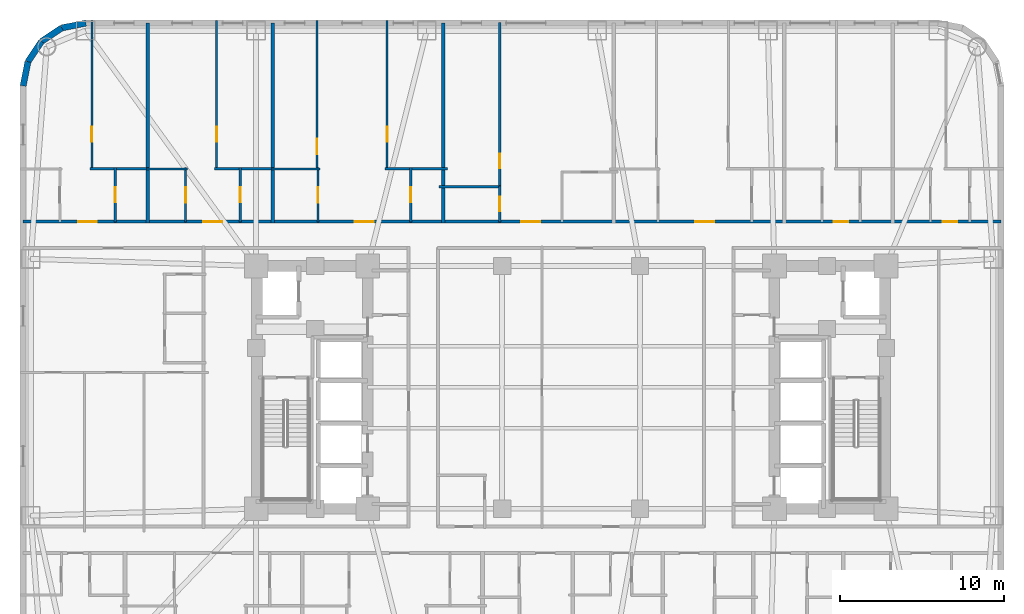
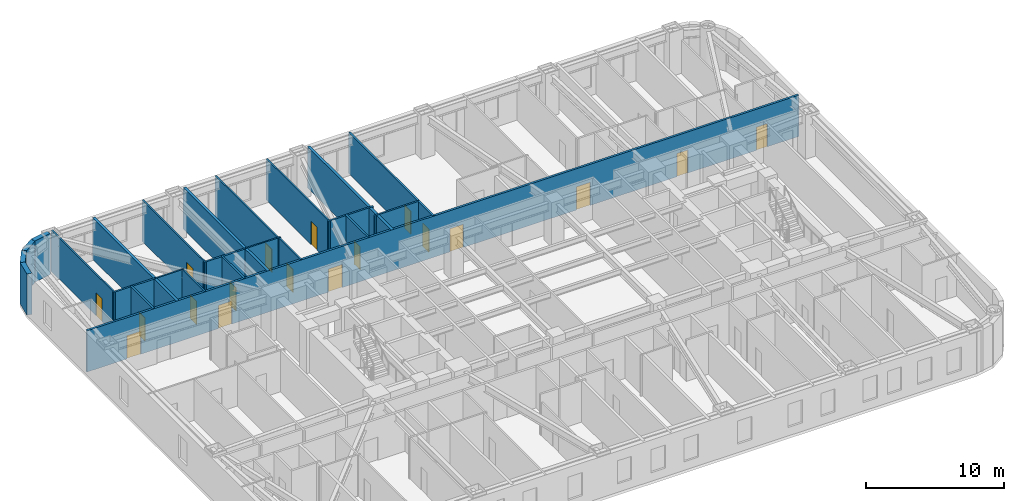
# One storey, part 7 of 11: 25 walls, 18 doors, 18 openings.
"""IFC4 building model written with IfcOpenShell, lengths in metres."""

from ifc_helpers import new_model, si_unit, direction, frame, frame_2d, origin, place, context, subcontext, project, spatial, rectangle, extrude, material, layer, layer_set, type_object, element, fill, save


model = new_model("IFC4")

# Units and contexts
model_context = context("Model", 3, precision=1e-05, world=origin(), true_north=direction((0.0, 1.0)))
body_context = subcontext(model_context, "Body", "Model", "MODEL_VIEW")
ifc_project = project(units=[si_unit("LENGTHUNIT", "METRE"), si_unit("AREAUNIT", "SQUARE_METRE"), si_unit("VOLUMEUNIT", "CUBIC_METRE"), si_unit("PLANEANGLEUNIT", "RADIAN"), si_unit("MASSUNIT", "GRAM", prefix="KILO")], contexts=[model_context])

# Site, building, storey
site_placement = place(None, origin())
site = spatial("IfcSite", under=ifc_project, at=site_placement, CompositionType="ELEMENT")
building_placement = place(site_placement, origin())
building = spatial("IfcBuilding", under=site, at=building_placement, Name="Voryun Gate Residences", CompositionType="ELEMENT")
storey_placement = place(building_placement, frame((0.0, 0.0, 37.699951171875)))
storey = spatial("IfcBuildingStorey", under=building, at=storey_placement, Name="L08", CompositionType="ELEMENT", Elevation=37.699951171875)

# Wall, openings, doors
ifc_material_1 = material(Name="Gypsum acoustic fireboard")
ifc_layer_1 = layer(ifc_material_1, 0.179931640625, Name="W_CORR_RATED_180")
ifc_layer_set_1 = layer_set([ifc_layer_1], Name="Gypsum acoustic fireboard")
wall_type_1 = type_object("IfcWallType", Name="W_CORR_RATED_180", PredefinedType="PARTITIONING", material=ifc_layer_set_1)
wall_1_placement = place(storey_placement, frame((-33.409912109375, 10.10009765625, 0.0), z_axis=(0.0, 0.0, 1.0), x_axis=(1.0, 0.0, 0.0)))
wall_1 = element("IfcWall", 1, at=wall_1_placement, inside=storey, type_object=wall_type_1, Name="Partition wall WP-L08-NCORR", PredefinedType="PARTITIONING", context=body_context, shape_type="SweptSolid", body=[
    extrude(rectangle(XDim=59.619873046875, YDim=0.179931640625, at=frame_2d((29.81005859375, 0.0))), origin(), (0.0, 0.0, 1.0), 3.650146484375),
])
opening_1_placement = place(wall_1_placement, frame((3.35400390625, 0.0, 0.0)))
opening_1 = element("IfcOpeningElement", 2, at=opening_1_placement, cuts=wall_1, Name="Opening D-UNIT-1", PredefinedType="OPENING", context=body_context, shape_type="SweptSolid", body=[
    extrude(rectangle(XDim=1.14990234375, YDim=2.050048828125, at=frame_2d((0.574951171875, 1.02490234375))), frame((0.0, 0.099853515625, 0.0), z_axis=(0.0, -1.0, 0.0), x_axis=(1.0, 0.0, 0.0)), (0.0, 0.0, 1.0), 0.199951171875),
])
opening_2_placement = place(wall_1_placement, frame((10.997314453125, 0.0, 0.0)))
opening_2 = element("IfcOpeningElement", 3, at=opening_2_placement, cuts=wall_1, Name="Opening D-UNIT-1", PredefinedType="OPENING", context=body_context, shape_type="SweptSolid", body=[
    extrude(rectangle(XDim=1.14990234375, YDim=2.050048828125, at=frame_2d((0.574951171875, 1.02490234375))), frame((0.0, 0.099853515625, 0.0), z_axis=(0.0, -1.0, 0.0), x_axis=(1.0, 0.0, 0.0)), (0.0, 0.0, 1.0), 0.199951171875),
])
opening_3_placement = place(wall_1_placement, frame((20.232421875, 0.0, 0.0)))
opening_3 = element("IfcOpeningElement", 4, at=opening_3_placement, cuts=wall_1, Name="Opening D-UNIT-1", PredefinedType="OPENING", context=body_context, shape_type="SweptSolid", body=[
    extrude(rectangle(XDim=1.14990234375, YDim=2.050048828125, at=frame_2d((0.574951171875, 1.02490234375))), frame((0.0, 0.099853515625, 0.0), z_axis=(0.0, -1.0, 0.0), x_axis=(1.0, 0.0, 0.0)), (0.0, 0.0, 1.0), 0.199951171875),
])
opening_4_placement = place(wall_1_placement, frame((30.379638671875, 0.0, 0.0)))
opening_4 = element("IfcOpeningElement", 5, at=opening_4_placement, cuts=wall_1, Name="Opening D-UNIT-1", PredefinedType="OPENING", context=body_context, shape_type="SweptSolid", body=[
    extrude(rectangle(XDim=1.14990234375, YDim=2.050048828125, at=frame_2d((0.574951171875, 1.02490234375))), frame((0.0, 0.099853515625, 0.0), z_axis=(0.0, -1.0, 0.0), x_axis=(1.0, 0.0, 0.0)), (0.0, 0.0, 1.0), 0.199951171875),
])
opening_5_placement = place(wall_1_placement, frame((40.998046875, 0.0, 0.0)))
opening_5 = element("IfcOpeningElement", 6, at=opening_5_placement, cuts=wall_1, Name="Opening D-UNIT-1", PredefinedType="OPENING", context=body_context, shape_type="SweptSolid", body=[
    extrude(rectangle(XDim=1.14990234375, YDim=2.050048828125, at=frame_2d((0.574951171875, 1.02490234375))), frame((0.0, 0.099853515625, 0.0), z_axis=(0.0, -1.0, 0.0), x_axis=(1.0, 0.0, 0.0)), (0.0, 0.0, 1.0), 0.199951171875),
])
opening_6_placement = place(wall_1_placement, frame((49.427978515625, 0.0, 0.0)))
opening_6 = element("IfcOpeningElement", 7, at=opening_6_placement, cuts=wall_1, Name="Opening D-INT-2", PredefinedType="OPENING", context=body_context, shape_type="SweptSolid", body=[
    extrude(rectangle(XDim=0.89990234375, YDim=2.050048828125, at=frame_2d((0.449951171875, 1.02490234375))), frame((0.0, 0.099853515625, 0.0), z_axis=(0.0, -1.0, 0.0), x_axis=(1.0, 0.0, 0.0)), (0.0, 0.0, 1.0), 0.199951171875),
])
opening_7_placement = place(wall_1_placement, frame((56.06982421875, 0.0, 0.0)))
opening_7 = element("IfcOpeningElement", 8, at=opening_7_placement, cuts=wall_1, Name="Opening D-INT-2", PredefinedType="OPENING", context=body_context, shape_type="SweptSolid", body=[
    extrude(rectangle(XDim=0.89990234375, YDim=2.050048828125, at=frame_2d((0.449951171875, 1.02490234375))), frame((0.0, 0.099853515625, 0.0), z_axis=(0.0, -1.0, 0.0), x_axis=(1.0, 0.0, 0.0)), (0.0, 0.0, 1.0), 0.199951171875),
])
ifc_material_2 = material(Name="Architectural oak veneer")
door_type_1 = type_object("IfcDoorType", Name="DR_INT_BATH_900", OperationType="NOTDEFINED", PredefinedType="DOOR", material=ifc_material_2)
door_1_placement = place(opening_6_placement, origin())
door_1 = element("IfcDoor", 9, at=door_1_placement, inside=storey, type_object=door_type_1, Name="Door DR-L08-NENT-6", OperationType="SINGLE_SWING_RIGHT", OverallHeight=2.050048828125, OverallWidth=0.89990234375, PredefinedType="DOOR", context=body_context, shape_type="SweptSolid", body=[
    extrude(rectangle(XDim=0.89990234375, YDim=2.050048828125, at=frame_2d((0.449951171875, 1.02490234375))), frame((0.0, 0.02490234375, 0.0), z_axis=(0.0, -1.0, 0.0), x_axis=(1.0, 0.0, 0.0)), (0.0, 0.0, 1.0), 0.050048828125),
])
fill(opening_6, door_1)
door_2_placement = place(opening_7_placement, origin())
door_2 = element("IfcDoor", 10, at=door_2_placement, inside=storey, type_object=door_type_1, Name="Door DR-L08-NENT-7", OperationType="SINGLE_SWING_LEFT", OverallHeight=2.050048828125, OverallWidth=0.89990234375, PredefinedType="DOOR", context=body_context, shape_type="SweptSolid", body=[
    extrude(rectangle(XDim=0.89990234375, YDim=2.050048828125, at=frame_2d((0.449951171875, 1.02490234375))), frame((0.0, 0.02490234375, 0.0), z_axis=(0.0, -1.0, 0.0), x_axis=(1.0, 0.0, 0.0)), (0.0, 0.0, 1.0), 0.050048828125),
])
fill(opening_7, door_2)
ifc_material_3 = material(Name="Armoured timber-clad fire door", Category="wood")
door_type_2 = type_object("IfcDoorType", Name="DR_UNIT_ENTRY_1150", OperationType="NOTDEFINED", PredefinedType="DOOR", material=ifc_material_3)
door_3_placement = place(opening_1_placement, origin())
door_3 = element("IfcDoor", 11, at=door_3_placement, inside=storey, type_object=door_type_2, Name="Door DR-L08-NENT-1", OperationType="SINGLE_SWING_LEFT", OverallHeight=2.050048828125, OverallWidth=1.14990234375, PredefinedType="DOOR", context=body_context, shape_type="SweptSolid", body=[
    extrude(rectangle(XDim=1.14990234375, YDim=2.050048828125, at=frame_2d((0.574951171875, 1.02490234375))), frame((0.0, 0.02490234375, 0.0), z_axis=(0.0, -1.0, 0.0), x_axis=(1.0, 0.0, 0.0)), (0.0, 0.0, 1.0), 0.050048828125),
])
fill(opening_1, door_3)
door_4_placement = place(opening_2_placement, origin())
door_4 = element("IfcDoor", 12, at=door_4_placement, inside=storey, type_object=door_type_2, Name="Door DR-L08-NENT-2", OperationType="SINGLE_SWING_RIGHT", OverallHeight=2.050048828125, OverallWidth=1.14990234375, PredefinedType="DOOR", context=body_context, shape_type="SweptSolid", body=[
    extrude(rectangle(XDim=1.14990234375, YDim=2.050048828125, at=frame_2d((0.574951171875, 1.02490234375))), frame((0.0, 0.02490234375, 0.0), z_axis=(0.0, -1.0, 0.0), x_axis=(1.0, 0.0, 0.0)), (0.0, 0.0, 1.0), 0.050048828125),
])
fill(opening_2, door_4)
door_5_placement = place(opening_3_placement, origin())
door_5 = element("IfcDoor", 13, at=door_5_placement, inside=storey, type_object=door_type_2, Name="Door DR-L08-NENT-3", OperationType="SINGLE_SWING_LEFT", OverallHeight=2.050048828125, OverallWidth=1.14990234375, PredefinedType="DOOR", context=body_context, shape_type="SweptSolid", body=[
    extrude(rectangle(XDim=1.14990234375, YDim=2.050048828125, at=frame_2d((0.574951171875, 1.02490234375))), frame((0.0, 0.02490234375, 0.0), z_axis=(0.0, -1.0, 0.0), x_axis=(1.0, 0.0, 0.0)), (0.0, 0.0, 1.0), 0.050048828125),
])
fill(opening_3, door_5)
door_6_placement = place(opening_4_placement, origin())
door_6 = element("IfcDoor", 14, at=door_6_placement, inside=storey, type_object=door_type_2, Name="Door DR-L08-NENT-4", OperationType="SINGLE_SWING_RIGHT", OverallHeight=2.050048828125, OverallWidth=1.14990234375, PredefinedType="DOOR", context=body_context, shape_type="SweptSolid", body=[
    extrude(rectangle(XDim=1.14990234375, YDim=2.050048828125, at=frame_2d((0.574951171875, 1.02490234375))), frame((0.0, 0.02490234375, 0.0), z_axis=(0.0, -1.0, 0.0), x_axis=(1.0, 0.0, 0.0)), (0.0, 0.0, 1.0), 0.050048828125),
])
fill(opening_4, door_6)
door_7_placement = place(opening_5_placement, origin())
door_7 = element("IfcDoor", 15, at=door_7_placement, inside=storey, type_object=door_type_2, Name="Door DR-L08-NENT-5", OperationType="SINGLE_SWING_LEFT", OverallHeight=2.050048828125, OverallWidth=1.14990234375, PredefinedType="DOOR", context=body_context, shape_type="SweptSolid", body=[
    extrude(rectangle(XDim=1.14990234375, YDim=2.050048828125, at=frame_2d((0.574951171875, 1.02490234375))), frame((0.0, 0.02490234375, 0.0), z_axis=(0.0, -1.0, 0.0), x_axis=(1.0, 0.0, 0.0)), (0.0, 0.0, 1.0), 0.050048828125),
])
fill(opening_5, door_7)

# Walls
ifc_material_4 = material(Name="Granite masonry", Category="masonry")
ifc_layer_2 = layer(ifc_material_4, 0.3798828125, Name="W_EXT_GRANITE_380")
ifc_layer_set_2 = layer_set([ifc_layer_2], Name="Granite masonry")
wall_type_2 = type_object("IfcWallType", Name="W_EXT_GRANITE_380", PredefinedType="ELEMENTEDWALL", material=ifc_layer_set_2)
wall_2_placement = place(storey_placement, frame((-33.409912109375, 18.38134765625, 0.0), z_axis=(0.0, 0.0, 1.0), x_axis=(0.195086038585, 0.980786132421, 0.0)))
element("IfcWall", 16, at=wall_2_placement, inside=storey, type_object=wall_type_2, Name="Exterior wall WEXT-L08-07", PredefinedType="ELEMENTEDWALL", context=body_context, shape_type="SweptSolid", body=[
    extrude(rectangle(XDim=1.504150390625, YDim=0.3798828125, at=frame_2d((0.751953125, 0.0))), origin(), (0.0, 0.0, 1.0), 3.650146484375),
])
wall_3_placement = place(storey_placement, frame((-33.116455078125, 19.856689453125, 0.0), z_axis=(0.0, 0.0, 1.0), x_axis=(0.555572577804, 0.831468045563, 0.0)))
element("IfcWall", 17, at=wall_3_placement, inside=storey, type_object=wall_type_2, Name="Exterior wall WEXT-L08-08", PredefinedType="ELEMENTEDWALL", context=body_context, shape_type="SweptSolid", body=[
    extrude(rectangle(XDim=1.48486328125, YDim=0.3798828125, at=frame_2d((0.742431640625, 0.0))), origin(), (0.0, 0.0, 1.0), 3.650146484375),
])
wall_4_placement = place(storey_placement, frame((-32.29150390625, 21.09130859375, 0.0), z_axis=(0.0, 0.0, 1.0), x_axis=(0.831442848281, 0.555610286119, 0.0)))
element("IfcWall", 18, at=wall_4_placement, inside=storey, type_object=wall_type_2, Name="Exterior wall WEXT-L08-09", PredefinedType="ELEMENTEDWALL", context=body_context, shape_type="SweptSolid", body=[
    extrude(rectangle(XDim=1.485107421875, YDim=0.3798828125, at=frame_2d((0.74267578125, 0.0))), origin(), (0.0, 0.0, 1.0), 3.650146484375),
])
wall_5_placement = place(storey_placement, frame((-31.056640625, 21.91650390625, 0.0), z_axis=(0.0, 0.0, 1.0), x_axis=(0.980786132421, 0.195086038585, 0.0)))
element("IfcWall", 19, at=wall_5_placement, inside=storey, type_object=wall_type_2, Name="Exterior wall WEXT-L08-10", PredefinedType="ELEMENTEDWALL", context=body_context, shape_type="SweptSolid", body=[
    extrude(rectangle(XDim=1.504150390625, YDim=0.3798828125, at=frame_2d((0.751953125, 0.0))), origin(), (0.0, 0.0, 1.0), 3.650146484375),
])
ifc_material_5 = material(Name="Concrete C40/50", Category="concrete")
ifc_layer_3 = layer(ifc_material_5, 0.219970703125, Name="W_PARTY_ACOUSTIC_220")
ifc_layer_set_3 = layer_set([ifc_layer_3], Name="Concrete C40/50")
wall_type_3 = type_object("IfcWallType", Name="W_PARTY_ACOUSTIC_220", PredefinedType="PARTITIONING", material=ifc_layer_set_3)
for number, where, z_axis, x_axis, name in (
    (20, (-25.80908203125, 10.02001953125, 0.0), (0.0, 0.0, 1.0), (0.0, 1.0, 0.0), "Partition wall WP-L08-NPTY-1"),
    (21, (-18.199951171875, 10.02001953125, 0.0), (0.0, 0.0, 1.0), (0.0, 1.0, 0.0), "Partition wall WP-L08-NPTY-2"),
    (22, (-7.800048828125, 10.02001953125, 0.0), (0.0, 0.0, 1.0), (0.0, 1.0, 0.0), "Partition wall WP-L08-NPTY-3"),
):
    element("IfcWall", number, at=place(storey_placement, frame(where, z_axis=z_axis, x_axis=x_axis)), inside=storey, type_object=wall_type_3, Name=name, PredefinedType="PARTITIONING", context=body_context, shape_type="SweptSolid", body=[
        extrude(rectangle(XDim=12.18994140625, YDim=0.219970703125, at=frame_2d((6.094970703125, 0.0))), origin(), (0.0, 0.0, 1.0), 3.650146484375),
    ])

# Wall, opening, door
ifc_material_6 = material(Name="Gypsum acoustic partition")
ifc_layer_4 = layer(ifc_material_6, 0.125, Name="W_UNIT_PART_125")
ifc_layer_set_4 = layer_set([ifc_layer_4], Name="Gypsum acoustic partition")
wall_type_4 = type_object("IfcWallType", Name="W_UNIT_PART_125", PredefinedType="PARTITIONING", material=ifc_layer_set_4)
wall_6_placement = place(storey_placement, frame((-29.218994140625, 13.239990234375, 0.0), z_axis=(0.0, 0.0, 1.0), x_axis=(0.0, 1.0, 0.0)))
wall_6 = element("IfcWall", 23, at=wall_6_placement, inside=storey, type_object=wall_type_4, Name="Partition wall WP-L08-N1-OVR", PredefinedType="PARTITIONING", context=body_context, shape_type="SweptSolid", body=[
    extrude(rectangle(XDim=9.1201171875, YDim=0.125, at=frame_2d((4.56005859375, 0.0))), origin(), (0.0, 0.0, 1.0), 3.650146484375),
])
opening_8_placement = place(wall_6_placement, frame((1.73876953125, 0.0, 0.0)))
opening_8 = element("IfcOpeningElement", 24, at=opening_8_placement, cuts=wall_6, Name="Opening D-INT-2", PredefinedType="OPENING", context=body_context, shape_type="SweptSolid", body=[
    extrude(rectangle(XDim=0.89990234375, YDim=2.050048828125, at=frame_2d((0.449951171875, 1.02490234375))), frame((0.0, 0.072509765625, 0.0), z_axis=(0.0, -1.0, 0.0), x_axis=(1.0, 0.0, 0.0)), (0.0, 0.0, 1.0), 0.14501953125),
])
door_8_placement = place(opening_8_placement, origin())
door_8 = element("IfcDoor", 25, at=door_8_placement, inside=storey, type_object=door_type_1, Name="Door DR-L08-N1-DMB", OperationType="SINGLE_SWING_RIGHT", OverallHeight=2.050048828125, OverallWidth=0.89990234375, PredefinedType="DOOR", context=body_context, shape_type="SweptSolid", body=[
    extrude(rectangle(XDim=0.89990234375, YDim=2.050048828125, at=frame_2d((0.449951171875, 1.02490234375))), frame((0.0, 0.02490234375, 0.0), z_axis=(0.0, -1.0, 0.0), x_axis=(1.0, 0.0, 0.0)), (0.0, 0.0, 1.0), 0.050048828125),
])
fill(opening_8, door_8)

wall_7_placement = place(storey_placement, frame((-21.610107421875, 13.239990234375, 0.0), z_axis=(0.0, 0.0, 1.0), x_axis=(0.0, 1.0, 0.0)))
wall_7 = element("IfcWall", 26, at=wall_7_placement, inside=storey, type_object=wall_type_4, Name="Partition wall WP-L08-N2-OVR", PredefinedType="PARTITIONING", context=body_context, shape_type="SweptSolid", body=[
    extrude(rectangle(XDim=9.1201171875, YDim=0.125, at=frame_2d((4.56005859375, 0.0))), origin(), (0.0, 0.0, 1.0), 3.650146484375),
])
opening_9_placement = place(wall_7_placement, frame((1.73876953125, 0.0, 0.0)))
opening_9 = element("IfcOpeningElement", 27, at=opening_9_placement, cuts=wall_7, Name="Opening D-INT-2", PredefinedType="OPENING", context=body_context, shape_type="SweptSolid", body=[
    extrude(rectangle(XDim=0.89990234375, YDim=2.050048828125, at=frame_2d((0.449951171875, 1.02490234375))), frame((0.0, 0.072509765625, 0.0), z_axis=(0.0, -1.0, 0.0), x_axis=(1.0, 0.0, 0.0)), (0.0, 0.0, 1.0), 0.14501953125),
])
door_9_placement = place(opening_9_placement, origin())
door_9 = element("IfcDoor", 28, at=door_9_placement, inside=storey, type_object=door_type_1, Name="Door DR-L08-N2-DMB", OperationType="SINGLE_SWING_RIGHT", OverallHeight=2.050048828125, OverallWidth=0.89990234375, PredefinedType="DOOR", context=body_context, shape_type="SweptSolid", body=[
    extrude(rectangle(XDim=0.89990234375, YDim=2.050048828125, at=frame_2d((0.449951171875, 1.02490234375))), frame((0.0, 0.02490234375, 0.0), z_axis=(0.0, -1.0, 0.0), x_axis=(1.0, 0.0, 0.0)), (0.0, 0.0, 1.0), 0.050048828125),
])
fill(opening_9, door_9)

wall_8_placement = place(storey_placement, frame((-23.4990234375, 10.080078125, 0.0), z_axis=(0.0, 0.0, 1.0), x_axis=(0.0, 1.0, 0.0)))
wall_8 = element("IfcWall", 29, at=wall_8_placement, inside=storey, type_object=wall_type_4, Name="Partition wall WP-L08-N2-IVK", PredefinedType="PARTITIONING", context=body_context, shape_type="SweptSolid", body=[
    extrude(rectangle(XDim=3.31982421875, YDim=0.125, at=frame_2d((1.659912109375, 0.0))), origin(), (0.0, 0.0, 1.0), 3.650146484375),
])
opening_10_placement = place(wall_8_placement, frame((1.18505859375, 0.0, 0.0)))
opening_10 = element("IfcOpeningElement", 30, at=opening_10_placement, cuts=wall_8, Name="Opening D-INT-1", PredefinedType="OPENING", context=body_context, shape_type="SweptSolid", body=[
    extrude(rectangle(XDim=0.949951171875, YDim=2.050048828125, at=frame_2d((0.47509765625, 1.02490234375))), frame((0.0, 0.072509765625, 0.0), z_axis=(0.0, -1.0, 0.0), x_axis=(1.0, 0.0, 0.0)), (0.0, 0.0, 1.0), 0.14501953125),
])
ifc_material_7 = material(Name="Architectural oak veneer")
door_type_3 = type_object("IfcDoorType", Name="DR_INT_ROOM_950", OperationType="NOTDEFINED", PredefinedType="DOOR", material=ifc_material_7)
door_10_placement = place(opening_10_placement, origin())
door_10 = element("IfcDoor", 31, at=door_10_placement, inside=storey, type_object=door_type_3, Name="Door DR-L08-N2-DK", OperationType="SINGLE_SWING_LEFT", OverallHeight=2.050048828125, OverallWidth=0.949951171875, PredefinedType="DOOR", context=body_context, shape_type="SweptSolid", body=[
    extrude(rectangle(XDim=0.949951171875, YDim=2.050048828125, at=frame_2d((0.47509765625, 1.02490234375))), frame((0.0, 0.02490234375, 0.0), z_axis=(0.0, -1.0, 0.0), x_axis=(1.0, 0.0, 0.0)), (0.0, 0.0, 1.0), 0.050048828125),
])
fill(opening_10, door_10)

# Wall
wall_9_placement = place(storey_placement, frame((-25.884033203125, 13.320068359375, 0.0), z_axis=(0.0, 0.0, 1.0), x_axis=(1.0, 0.0, 0.0)))
element("IfcWall", 32, at=wall_9_placement, inside=storey, type_object=wall_type_4, Name="Partition wall WP-L08-N2-HZK", PredefinedType="PARTITIONING", context=body_context, shape_type="SweptSolid", body=[
    extrude(rectangle(XDim=2.505126953125, YDim=0.125, at=frame_2d((1.25244140625, 0.0))), origin(), (0.0, 0.0, 1.0), 3.650146484375),
])

# Wall, opening, door
wall_10_placement = place(storey_placement, frame((-15.488037109375, 13.239990234375, 0.0), z_axis=(0.0, 0.0, 1.0), x_axis=(0.0, 1.0, 0.0)))
wall_10 = element("IfcWall", 33, at=wall_10_placement, inside=storey, type_object=wall_type_4, Name="Partition wall WP-L08-N3-OVL", PredefinedType="PARTITIONING", context=body_context, shape_type="SweptSolid", body=[
    extrude(rectangle(XDim=9.1201171875, YDim=0.125, at=frame_2d((4.56005859375, 0.0))), origin(), (0.0, 0.0, 1.0), 3.650146484375),
])
opening_11_placement = place(wall_10_placement, frame((0.984130859375, 0.0, 0.0)))
opening_11 = element("IfcOpeningElement", 34, at=opening_11_placement, cuts=wall_10, Name="Opening D-INT-1", PredefinedType="OPENING", context=body_context, shape_type="SweptSolid", body=[
    extrude(rectangle(XDim=0.949951171875, YDim=2.050048828125, at=frame_2d((0.47509765625, 1.02490234375))), frame((0.0, 0.072509765625, 0.0), z_axis=(0.0, -1.0, 0.0), x_axis=(1.0, 0.0, 0.0)), (0.0, 0.0, 1.0), 0.14501953125),
])
door_11_placement = place(opening_11_placement, origin())
door_11 = element("IfcDoor", 35, at=door_11_placement, inside=storey, type_object=door_type_3, Name="Door DR-L08-N3-DB2", OperationType="SINGLE_SWING_LEFT", OverallHeight=2.050048828125, OverallWidth=0.949951171875, PredefinedType="DOOR", context=body_context, shape_type="SweptSolid", body=[
    extrude(rectangle(XDim=0.949951171875, YDim=2.050048828125, at=frame_2d((0.47509765625, 1.02490234375))), frame((0.0, 0.02490234375, 0.0), z_axis=(0.0, -1.0, 0.0), x_axis=(1.0, 0.0, 0.0)), (0.0, 0.0, 1.0), 0.050048828125),
])
fill(opening_11, door_11)

wall_11_placement = place(storey_placement, frame((-11.2099609375, 13.239990234375, 0.0), z_axis=(0.0, 0.0, 1.0), x_axis=(0.0, 1.0, 0.0)))
wall_11 = element("IfcWall", 36, at=wall_11_placement, inside=storey, type_object=wall_type_4, Name="Partition wall WP-L08-N3-OVR", PredefinedType="PARTITIONING", context=body_context, shape_type="SweptSolid", body=[
    extrude(rectangle(XDim=9.1201171875, YDim=0.125, at=frame_2d((4.56005859375, 0.0))), origin(), (0.0, 0.0, 1.0), 3.650146484375),
])
opening_12_placement = place(wall_11_placement, frame((1.73876953125, 0.0, 0.0)))
opening_12 = element("IfcOpeningElement", 37, at=opening_12_placement, cuts=wall_11, Name="Opening D-INT-2", PredefinedType="OPENING", context=body_context, shape_type="SweptSolid", body=[
    extrude(rectangle(XDim=0.89990234375, YDim=2.050048828125, at=frame_2d((0.449951171875, 1.02490234375))), frame((0.0, 0.072509765625, 0.0), z_axis=(0.0, -1.0, 0.0), x_axis=(1.0, 0.0, 0.0)), (0.0, 0.0, 1.0), 0.14501953125),
])
door_12_placement = place(opening_12_placement, origin())
door_12 = element("IfcDoor", 38, at=door_12_placement, inside=storey, type_object=door_type_1, Name="Door DR-L08-N3-DMB", OperationType="SINGLE_SWING_RIGHT", OverallHeight=2.050048828125, OverallWidth=0.89990234375, PredefinedType="DOOR", context=body_context, shape_type="SweptSolid", body=[
    extrude(rectangle(XDim=0.89990234375, YDim=2.050048828125, at=frame_2d((0.449951171875, 1.02490234375))), frame((0.0, 0.02490234375, 0.0), z_axis=(0.0, -1.0, 0.0), x_axis=(1.0, 0.0, 0.0)), (0.0, 0.0, 1.0), 0.050048828125),
])
fill(opening_12, door_12)

wall_12_placement = place(storey_placement, frame((-15.426025390625, 10.080078125, 0.0), z_axis=(0.0, 0.0, 1.0), x_axis=(0.0, 1.0, 0.0)))
wall_12 = element("IfcWall", 39, at=wall_12_placement, inside=storey, type_object=wall_type_4, Name="Partition wall WP-L08-N3-IVK", PredefinedType="PARTITIONING", context=body_context, shape_type="SweptSolid", body=[
    extrude(rectangle(XDim=3.31982421875, YDim=0.125, at=frame_2d((1.659912109375, 0.0))), origin(), (0.0, 0.0, 1.0), 3.650146484375),
])
opening_13_placement = place(wall_12_placement, frame((1.18505859375, 0.0, 0.0)))
opening_13 = element("IfcOpeningElement", 40, at=opening_13_placement, cuts=wall_12, Name="Opening D-INT-1", PredefinedType="OPENING", context=body_context, shape_type="SweptSolid", body=[
    extrude(rectangle(XDim=0.949951171875, YDim=2.050048828125, at=frame_2d((0.47509765625, 1.02490234375))), frame((0.0, 0.072509765625, 0.0), z_axis=(0.0, -1.0, 0.0), x_axis=(1.0, 0.0, 0.0)), (0.0, 0.0, 1.0), 0.14501953125),
])
door_13_placement = place(opening_13_placement, origin())
door_13 = element("IfcDoor", 41, at=door_13_placement, inside=storey, type_object=door_type_3, Name="Door DR-L08-N3-DK", OperationType="SINGLE_SWING_LEFT", OverallHeight=2.050048828125, OverallWidth=0.949951171875, PredefinedType="DOOR", context=body_context, shape_type="SweptSolid", body=[
    extrude(rectangle(XDim=0.949951171875, YDim=2.050048828125, at=frame_2d((0.47509765625, 1.02490234375))), frame((0.0, 0.02490234375, 0.0), z_axis=(0.0, -1.0, 0.0), x_axis=(1.0, 0.0, 0.0)), (0.0, 0.0, 1.0), 0.050048828125),
])
fill(opening_13, door_13)

# Walls
wall_13_placement = place(storey_placement, frame((-18.27490234375, 13.320068359375, 0.0), z_axis=(0.0, 0.0, 1.0), x_axis=(1.0, 0.0, 0.0)))
element("IfcWall", 42, at=wall_13_placement, inside=storey, type_object=wall_type_4, Name="Partition wall WP-L08-N3-HZK", PredefinedType="PARTITIONING", context=body_context, shape_type="SweptSolid", body=[
    extrude(rectangle(XDim=2.968994140625, YDim=0.125, at=frame_2d((1.484375, 0.0))), origin(), (0.0, 0.0, 1.0), 3.650146484375),
])
ifc_material_8 = material(Name="Gypsum moisture-resistant partition")
ifc_layer_5 = layer(ifc_material_8, 0.14990234375, Name="W_WET_PLUMB_150")
ifc_layer_set_5 = layer_set([ifc_layer_5], Name="Gypsum moisture-resistant partition")
wall_type_5 = type_object("IfcWallType", Name="W_WET_PLUMB_150", PredefinedType="PLUMBINGWALL", material=ifc_layer_set_5)
wall_14_placement = place(storey_placement, frame((-29.339111328125, 13.320068359375, 0.0), z_axis=(0.0, 0.0, 1.0), x_axis=(1.0, 0.0, 0.0)))
element("IfcWall", 43, at=wall_14_placement, inside=storey, type_object=wall_type_5, Name="Partition wall WP-L08-N1-HZB", PredefinedType="PLUMBINGWALL", context=body_context, shape_type="SweptSolid", body=[
    extrude(rectangle(XDim=3.605224609375, YDim=0.14990234375, at=frame_2d((1.802734375, 0.0))), origin(), (0.0, 0.0, 1.0), 3.650146484375),
])

# Wall, opening, door
wall_15_placement = place(storey_placement, frame((-27.7890625, 10.080078125, 0.0), z_axis=(0.0, 0.0, 1.0), x_axis=(0.0, 1.0, 0.0)))
wall_15 = element("IfcWall", 44, at=wall_15_placement, inside=storey, type_object=wall_type_5, Name="Partition wall WP-L08-N1-IVB", PredefinedType="PLUMBINGWALL", context=body_context, shape_type="SweptSolid", body=[
    extrude(rectangle(XDim=3.31982421875, YDim=0.14990234375, at=frame_2d((1.659912109375, 0.0))), origin(), (0.0, 0.0, 1.0), 3.650146484375),
])
opening_14_placement = place(wall_15_placement, frame((1.2099609375, 0.0, 0.0)))
opening_14 = element("IfcOpeningElement", 45, at=opening_14_placement, cuts=wall_15, Name="Opening D-INT-2", PredefinedType="OPENING", context=body_context, shape_type="SweptSolid", body=[
    extrude(rectangle(XDim=0.89990234375, YDim=2.050048828125, at=frame_2d((0.449951171875, 1.02490234375))), frame((0.0, 0.0849609375, 0.0), z_axis=(0.0, -1.0, 0.0), x_axis=(1.0, 0.0, 0.0)), (0.0, 0.0, 1.0), 0.169921875),
])
door_14_placement = place(opening_14_placement, origin())
door_14 = element("IfcDoor", 46, at=door_14_placement, inside=storey, type_object=door_type_1, Name="Door DR-L08-N1-DB", OperationType="SINGLE_SWING_RIGHT", OverallHeight=2.050048828125, OverallWidth=0.89990234375, PredefinedType="DOOR", context=body_context, shape_type="SweptSolid", body=[
    extrude(rectangle(XDim=0.89990234375, YDim=2.050048828125, at=frame_2d((0.449951171875, 1.02490234375))), frame((0.0, 0.02490234375, 0.0), z_axis=(0.0, -1.0, 0.0), x_axis=(1.0, 0.0, 0.0)), (0.0, 0.0, 1.0), 0.050048828125),
])
fill(opening_14, door_14)

# Wall
wall_16_placement = place(storey_placement, frame((-21.72998046875, 13.320068359375, 0.0), z_axis=(0.0, 0.0, 1.0), x_axis=(1.0, 0.0, 0.0)))
element("IfcWall", 47, at=wall_16_placement, inside=storey, type_object=wall_type_5, Name="Partition wall WP-L08-N2-HZB", PredefinedType="PLUMBINGWALL", context=body_context, shape_type="SweptSolid", body=[
    extrude(rectangle(XDim=3.60498046875, YDim=0.14990234375, at=frame_2d((1.802490234375, 0.0))), origin(), (0.0, 0.0, 1.0), 3.650146484375),
])

# Wall, opening, door
wall_17_placement = place(storey_placement, frame((-20.179931640625, 10.080078125, 0.0), z_axis=(0.0, 0.0, 1.0), x_axis=(0.0, 1.0, 0.0)))
wall_17 = element("IfcWall", 48, at=wall_17_placement, inside=storey, type_object=wall_type_5, Name="Partition wall WP-L08-N2-IVB", PredefinedType="PLUMBINGWALL", context=body_context, shape_type="SweptSolid", body=[
    extrude(rectangle(XDim=3.31982421875, YDim=0.14990234375, at=frame_2d((1.659912109375, 0.0))), origin(), (0.0, 0.0, 1.0), 3.650146484375),
])
opening_15_placement = place(wall_17_placement, frame((1.2099609375, 0.0, 0.0)))
opening_15 = element("IfcOpeningElement", 49, at=opening_15_placement, cuts=wall_17, Name="Opening D-INT-2", PredefinedType="OPENING", context=body_context, shape_type="SweptSolid", body=[
    extrude(rectangle(XDim=0.89990234375, YDim=2.050048828125, at=frame_2d((0.449951171875, 1.02490234375))), frame((0.0, 0.0849609375, 0.0), z_axis=(0.0, -1.0, 0.0), x_axis=(1.0, 0.0, 0.0)), (0.0, 0.0, 1.0), 0.169921875),
])
door_15_placement = place(opening_15_placement, origin())
door_15 = element("IfcDoor", 50, at=door_15_placement, inside=storey, type_object=door_type_1, Name="Door DR-L08-N2-DB", OperationType="SINGLE_SWING_RIGHT", OverallHeight=2.050048828125, OverallWidth=0.89990234375, PredefinedType="DOOR", context=body_context, shape_type="SweptSolid", body=[
    extrude(rectangle(XDim=0.89990234375, YDim=2.050048828125, at=frame_2d((0.449951171875, 1.02490234375))), frame((0.0, 0.02490234375, 0.0), z_axis=(0.0, -1.0, 0.0), x_axis=(1.0, 0.0, 0.0)), (0.0, 0.0, 1.0), 0.050048828125),
])
fill(opening_15, door_15)

# Wall
wall_18_placement = place(storey_placement, frame((-11.330078125, 13.320068359375, 0.0), z_axis=(0.0, 0.0, 1.0), x_axis=(1.0, 0.0, 0.0)))
element("IfcWall", 51, at=wall_18_placement, inside=storey, type_object=wall_type_5, Name="Partition wall WP-L08-N3-HZB", PredefinedType="PLUMBINGWALL", context=body_context, shape_type="SweptSolid", body=[
    extrude(rectangle(XDim=3.7900390625, YDim=0.14990234375, at=frame_2d((1.89501953125, 0.0))), origin(), (0.0, 0.0, 1.0), 3.650146484375),
])

# Wall, opening, door
wall_19_placement = place(storey_placement, frame((-9.780029296875, 10.080078125, 0.0), z_axis=(0.0, 0.0, 1.0), x_axis=(0.0, 1.0, 0.0)))
wall_19 = element("IfcWall", 52, at=wall_19_placement, inside=storey, type_object=wall_type_5, Name="Partition wall WP-L08-N3-IVB", PredefinedType="PLUMBINGWALL", context=body_context, shape_type="SweptSolid", body=[
    extrude(rectangle(XDim=3.31982421875, YDim=0.14990234375, at=frame_2d((1.659912109375, 0.0))), origin(), (0.0, 0.0, 1.0), 3.650146484375),
])
opening_16_placement = place(wall_19_placement, frame((1.2099609375, 0.0, 0.0)))
opening_16 = element("IfcOpeningElement", 53, at=opening_16_placement, cuts=wall_19, Name="Opening D-INT-2", PredefinedType="OPENING", context=body_context, shape_type="SweptSolid", body=[
    extrude(rectangle(XDim=0.89990234375, YDim=2.050048828125, at=frame_2d((0.449951171875, 1.02490234375))), frame((0.0, 0.0849609375, 0.0), z_axis=(0.0, -1.0, 0.0), x_axis=(1.0, 0.0, 0.0)), (0.0, 0.0, 1.0), 0.169921875),
])
door_16_placement = place(opening_16_placement, origin())
door_16 = element("IfcDoor", 54, at=door_16_placement, inside=storey, type_object=door_type_1, Name="Door DR-L08-N3-DB", OperationType="SINGLE_SWING_RIGHT", OverallHeight=2.050048828125, OverallWidth=0.89990234375, PredefinedType="DOOR", context=body_context, shape_type="SweptSolid", body=[
    extrude(rectangle(XDim=0.89990234375, YDim=2.050048828125, at=frame_2d((0.449951171875, 1.02490234375))), frame((0.0, 0.02490234375, 0.0), z_axis=(0.0, -1.0, 0.0), x_axis=(1.0, 0.0, 0.0)), (0.0, 0.0, 1.0), 0.050048828125),
])
fill(opening_16, door_16)

# Wall
wall_20_placement = place(storey_placement, frame((-8.06005859375, 12.239990234375, 0.0), z_axis=(0.0, 0.0, 1.0), x_axis=(1.0, 0.0, 0.0)))
element("IfcWall", 55, at=wall_20_placement, inside=storey, type_object=wall_type_5, Name="Partition wall WP-L08-N4-LHY", PredefinedType="PLUMBINGWALL", context=body_context, shape_type="SweptSolid", body=[
    extrude(rectangle(XDim=3.7919921875, YDim=0.14990234375, at=frame_2d((1.89599609375, 0.0))), origin(), (0.0, 0.0, 1.0), 3.650146484375),
])

# Wall, opening, door
wall_21_placement = place(storey_placement, frame((-4.347900390625, 10.080078125, 0.0), z_axis=(0.0, 0.0, 1.0), x_axis=(0.0, 1.0, 0.0)))
wall_21 = element("IfcWall", 56, at=wall_21_placement, inside=storey, type_object=wall_type_5, Name="Partition wall WP-L08-N4-LVX1", PredefinedType="PLUMBINGWALL", context=body_context, shape_type="SweptSolid", body=[
    extrude(rectangle(XDim=2.199951171875, YDim=0.14990234375, at=frame_2d((1.10009765625, 0.0))), origin(), (0.0, 0.0, 1.0), 3.650146484375),
])
opening_17_placement = place(wall_21_placement, frame((0.64990234375, 0.0, 0.0)))
opening_17 = element("IfcOpeningElement", 57, at=opening_17_placement, cuts=wall_21, Name="Opening D-INT-2", PredefinedType="OPENING", context=body_context, shape_type="SweptSolid", body=[
    extrude(rectangle(XDim=0.89990234375, YDim=2.050048828125, at=frame_2d((0.449951171875, 1.02490234375))), frame((0.0, 0.0849609375, 0.0), z_axis=(0.0, -1.0, 0.0), x_axis=(1.0, 0.0, 0.0)), (0.0, 0.0, 1.0), 0.169921875),
])
door_17_placement = place(opening_17_placement, origin())
door_17 = element("IfcDoor", 58, at=door_17_placement, inside=storey, type_object=door_type_1, Name="Door DR-L08-N4-DB", OperationType="SINGLE_SWING_LEFT", OverallHeight=2.050048828125, OverallWidth=0.89990234375, PredefinedType="DOOR", context=body_context, shape_type="SweptSolid", body=[
    extrude(rectangle(XDim=0.89990234375, YDim=2.050048828125, at=frame_2d((0.449951171875, 1.02490234375))), frame((0.0, 0.02490234375, 0.0), z_axis=(0.0, -1.0, 0.0), x_axis=(1.0, 0.0, 0.0)), (0.0, 0.0, 1.0), 0.050048828125),
])
fill(opening_17, door_17)

wall_22_placement = place(storey_placement, frame((-4.347900390625, 12.199951171875, 0.0), z_axis=(0.0, 0.0, 1.0), x_axis=(0.0, 1.0, 0.0)))
wall_22 = element("IfcWall", 59, at=wall_22_placement, inside=storey, type_object=wall_type_5, Name="Partition wall WP-L08-N4-LVX2", PredefinedType="PLUMBINGWALL", context=body_context, shape_type="SweptSolid", body=[
    extrude(rectangle(XDim=10.0576171875, YDim=0.14990234375, at=frame_2d((5.02880859375, 0.0))), origin(), (0.0, 0.0, 1.0), 3.650146484375),
])
opening_18_placement = place(wall_22_placement, frame((1.1591796875, 0.0, 0.0)))
opening_18 = element("IfcOpeningElement", 60, at=opening_18_placement, cuts=wall_22, Name="Opening D-INT-2", PredefinedType="OPENING", context=body_context, shape_type="SweptSolid", body=[
    extrude(rectangle(XDim=0.89990234375, YDim=2.050048828125, at=frame_2d((0.449951171875, 1.02490234375))), frame((0.0, 0.0849609375, 0.0), z_axis=(0.0, -1.0, 0.0), x_axis=(1.0, 0.0, 0.0)), (0.0, 0.0, 1.0), 0.169921875),
])
door_18_placement = place(opening_18_placement, origin())
door_18 = element("IfcDoor", 61, at=door_18_placement, inside=storey, type_object=door_type_1, Name="Door DR-L08-N4-DMB", OperationType="SINGLE_SWING_RIGHT", OverallHeight=2.050048828125, OverallWidth=0.89990234375, PredefinedType="DOOR", context=body_context, shape_type="SweptSolid", body=[
    extrude(rectangle(XDim=0.89990234375, YDim=2.050048828125, at=frame_2d((0.449951171875, 1.02490234375))), frame((0.0, 0.02490234375, 0.0), z_axis=(0.0, -1.0, 0.0), x_axis=(1.0, 0.0, 0.0)), (0.0, 0.0, 1.0), 0.050048828125),
])
fill(opening_18, door_18)

save(model, "model.ifc")
